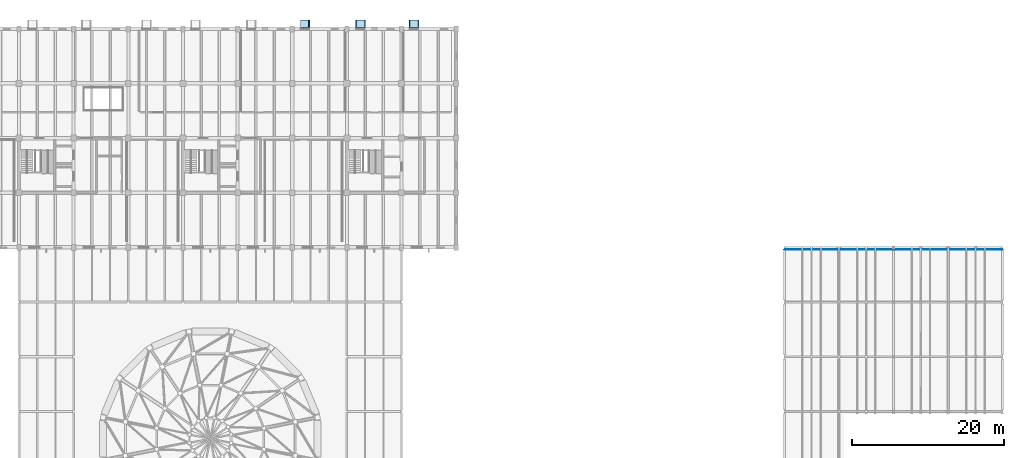
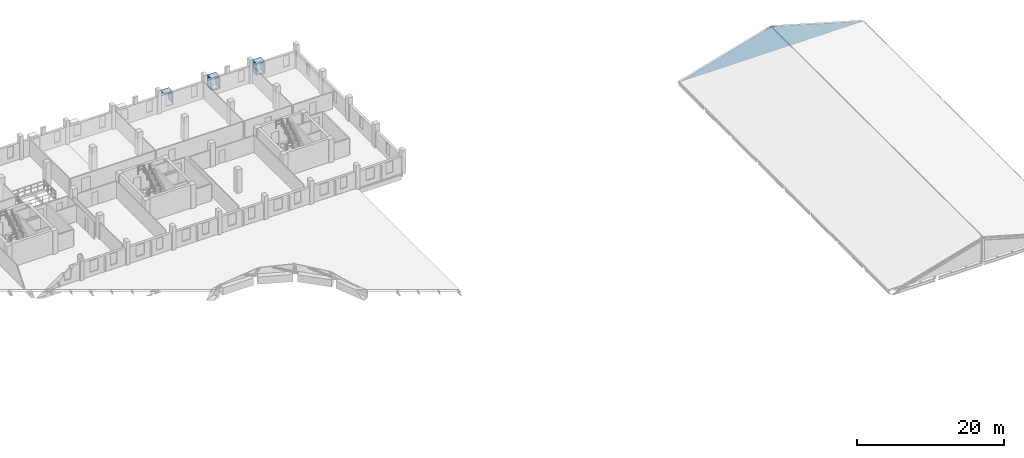
# One storey, part 17 of 32: 11 plates.
"""IFC4 building model written with IfcOpenShell, lengths in metres."""

from ifc_helpers import new_model, si_unit, direction, frame, origin, origin_2d, place, context, subcontext, project, spatial, polyline, rectangle, outline, extrude, material, layer, layer_set, type_object, element, save


model = new_model("IFC4")

# Units and contexts
model_context = context("Model", 3, precision=1e-05, world=origin(), true_north=direction((0.0, 1.0)))
body_context = subcontext(model_context, "Body", "Model", "MODEL_VIEW")
ifc_project = project(units=[si_unit("LENGTHUNIT", "METRE"), si_unit("AREAUNIT", "SQUARE_METRE"), si_unit("VOLUMEUNIT", "CUBIC_METRE"), si_unit("PLANEANGLEUNIT", "RADIAN"), si_unit("MASSUNIT", "GRAM", prefix="KILO")], contexts=[model_context])

# Site, building, storey
site_placement = place(None, origin())
site = spatial("IfcSite", under=ifc_project, at=site_placement, CompositionType="ELEMENT")
building_placement = place(site_placement, origin())
building = spatial("IfcBuilding", under=site, at=building_placement, Name="Qiaolan Assembly House", CompositionType="ELEMENT")
storey_placement = place(building_placement, frame((0.0, 0.0, 18.60009765625)))
storey = spatial("IfcBuildingStorey", under=building, at=storey_placement, Name="L04", CompositionType="ELEMENT", Elevation=18.60009765625)

# Plates
ifc_material = material(Name="Honed pale limestone", Category="masonry")
ifc_layer_1 = layer(ifc_material, 0.0849609375)
ifc_layer_set_1 = layer_set([ifc_layer_1], Name="Honed pale limestone")
plate_type_1 = type_object("IfcPlateType", Name="PLT-WINBOX-CHEEK", PredefinedType="SHEET", material=ifc_layer_set_1)
for number, where, z_axis, x_axis, name in (
    (1, (81.4423828125, 115.860107421875, 0.69970703125), (0.0, 0.0, 1.0), (1.0, 0.0, 0.0), "WB-02 projecting window-box right cheek NWN-L04-06-2"),
    (2, (87.607421875, 115.860107421875, 0.69970703125), (0.0, 0.0, 1.0), (1.0, 0.0, 0.0), "WB-02 projecting window-box left cheek NWN-L04-07-2"),
    (3, (88.79248046875, 115.860107421875, 0.69970703125), (0.0, 0.0, 1.0), (1.0, 0.0, 0.0), "WB-02 projecting window-box right cheek NWN-L04-07-2"),
    (4, (94.657470703125, 115.860107421875, 0.69970703125), (0.0, 0.0, 1.0), (1.0, 0.0, 0.0), "WB-02 projecting window-box left cheek NWN-L04-08-2"),
    (5, (95.842529296875, 115.860107421875, 0.69970703125), (0.0, 0.0, 1.0), (1.0, 0.0, 0.0), "WB-02 projecting window-box right cheek NWN-L04-08-2"),
):
    element("IfcPlate", number, at=place(storey_placement, frame(where, z_axis=z_axis, x_axis=x_axis)), inside=storey, type_object=plate_type_1, Name=name, PredefinedType="SHEET", context=body_context, shape_type="SweptSolid", body=[
        extrude(rectangle(XDim=0.0849609375, YDim=1.0, at=origin_2d()), origin(), (0.0, 0.0, 1.0), 1.840087890625),
    ])
ifc_layer_2 = layer(ifc_material, 0.080078125)
ifc_layer_set_2 = layer_set([ifc_layer_2], Name="Honed pale limestone")
plate_type_2 = type_object("IfcPlateType", Name="PLT-WINBOX-SURROUND", PredefinedType="SHEET", material=ifc_layer_set_2)
plate_1_placement = place(storey_placement, frame((172.800048828125, 86.179931640625, -0.02001953125), z_axis=(0.0, 1.0, 0.0), x_axis=(-1.0, 0.0, 0.0)))
element("IfcPlate", 6, at=plate_1_placement, inside=storey, type_object=plate_type_2, Name="WB-01 Library North Pedimental Limestone Gable Tympanum", PredefinedType="SHEET", context=body_context, shape_type="SweptSolid", body=[
    extrude(outline(polyline([(0.0, 0.0), (28.800048828125, 0.0), (14.400146484375, 4.14892578125), (0.0, 0.0)])), origin(), (0.0, 0.0, -1.0), 0.074951171875),
])
plate_2_placement = place(storey_placement, frame((0.0, 0.0, 2.539794921875)))
element("IfcPlate", 7, at=plate_2_placement, inside=storey, type_object=plate_type_2, Name="WB-01 projecting limestone window-box hood NWN-L04-06-2", PredefinedType="SHEET", context=body_context, shape_type="SweptSolid", body=[
    extrude(outline(polyline([(80.215087890625, 115.360107421875), (80.215087890625, 116.360107421875), (81.485107421875, 116.360107421875), (81.485107421875, 115.360107421875), (80.215087890625, 115.360107421875)])), origin(), (0.0, 0.0, 1.0), 0.080078125),
])
for number, where, name in (
    (8, (0.0, 0.0, 0.619873046875), "WB-01 projecting limestone window-box sill NWN-L04-07-2"),
    (9, (0.0, 0.0, 2.539794921875), "WB-01 projecting limestone window-box hood NWN-L04-07-2"),
):
    element("IfcPlate", number, at=place(storey_placement, frame(where)), inside=storey, type_object=plate_type_2, Name=name, PredefinedType="SHEET", context=body_context, shape_type="SweptSolid", body=[
        extrude(outline(polyline([(87.56494140625, 115.360107421875), (87.56494140625, 116.360107421875), (88.8349609375, 116.360107421875), (88.8349609375, 115.360107421875), (87.56494140625, 115.360107421875)])), origin(), (0.0, 0.0, 1.0), 0.080078125),
    ])
for number, where, name in (
    (10, (0.0, 0.0, 0.619873046875), "WB-01 projecting limestone window-box sill NWN-L04-08-2"),
    (11, (0.0, 0.0, 2.539794921875), "WB-01 projecting limestone window-box hood NWN-L04-08-2"),
):
    element("IfcPlate", number, at=place(storey_placement, frame(where)), inside=storey, type_object=plate_type_2, Name=name, PredefinedType="SHEET", context=body_context, shape_type="SweptSolid", body=[
        extrude(outline(polyline([(94.614990234375, 115.360107421875), (94.614990234375, 116.360107421875), (95.885009765625, 116.360107421875), (95.885009765625, 115.360107421875), (94.614990234375, 115.360107421875)])), origin(), (0.0, 0.0, 1.0), 0.080078125),
    ])

save(model, "model.ifc")
